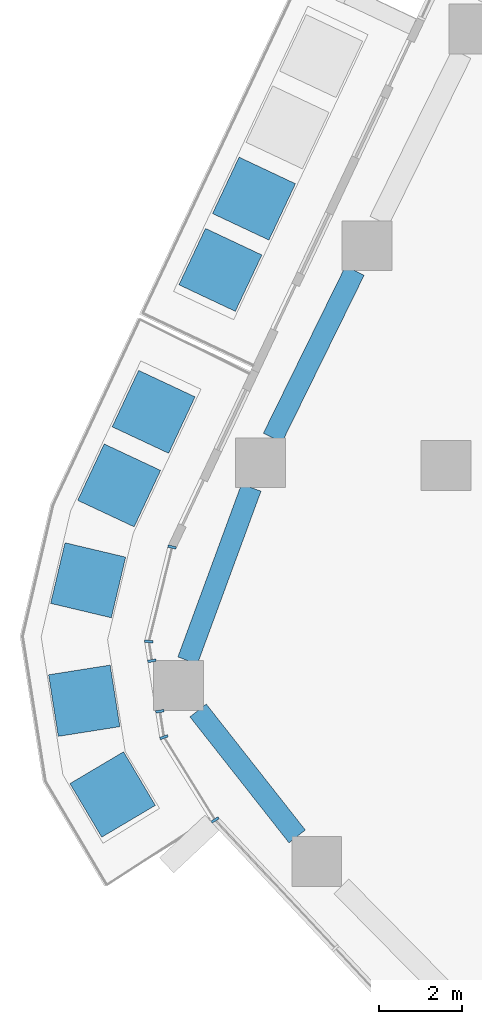
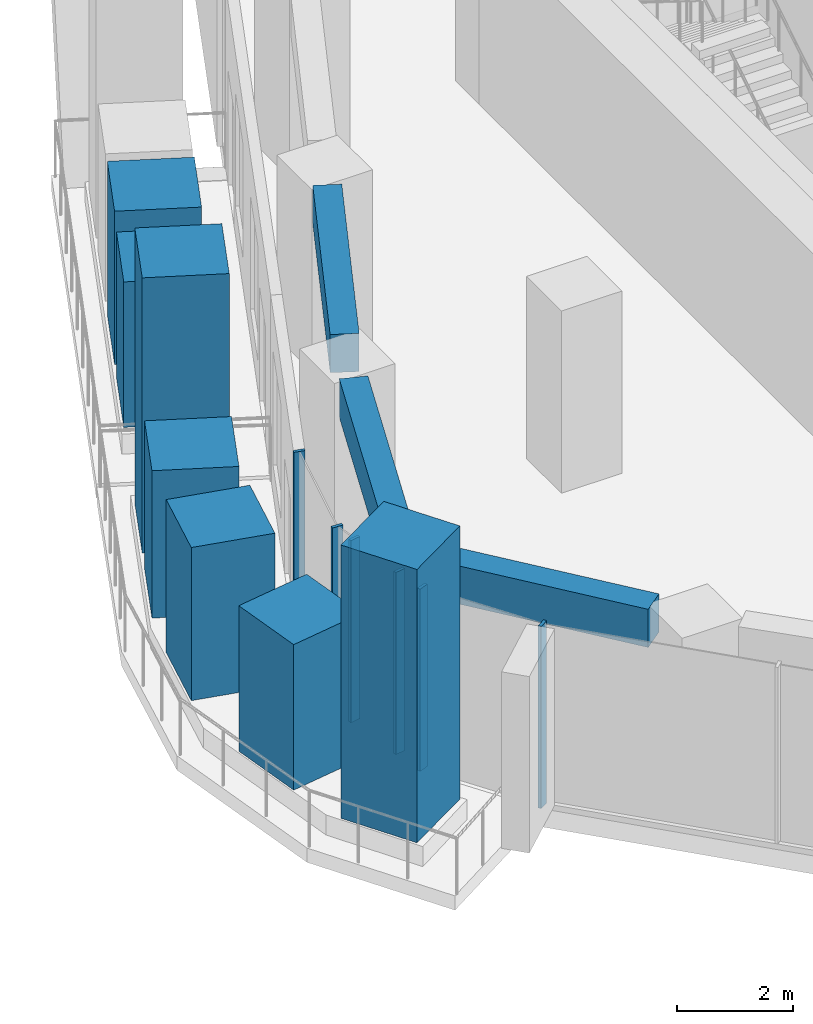
# One storey, part 3 of 18: 13 members, 3 beams, 2 elements without a shape of their own.
"""IFC4 building model written with IfcOpenShell, lengths in metres."""

from ifc_helpers import new_model, si_unit, direction, frame, origin, origin_2d, place, context, subcontext, project, spatial, rectangle, extrude, material, layer, layer_set, material_profile, profile_set, type_object, element, aggregate, save


model = new_model("IFC4")

# Units and contexts
model_context = context("Model", 3, precision=1e-05, world=origin(), true_north=direction((0.0, 1.0)))
body_context = subcontext(model_context, "Body", "Model", "MODEL_VIEW")
ifc_project = project(units=[si_unit("LENGTHUNIT", "METRE"), si_unit("AREAUNIT", "SQUARE_METRE"), si_unit("VOLUMEUNIT", "CUBIC_METRE"), si_unit("PLANEANGLEUNIT", "RADIAN"), si_unit("MASSUNIT", "GRAM", prefix="KILO")], contexts=[model_context])

# Site, building, storey
site_placement = place(None, origin())
site = spatial("IfcSite", under=ifc_project, at=site_placement, CompositionType="ELEMENT")
building_placement = place(site_placement, origin())
building = spatial("IfcBuilding", under=site, at=building_placement, Name="Dongbaek Canopy Tower", CompositionType="ELEMENT")
storey_placement = place(building_placement, frame((0.0, 0.0, 167.0)))
storey = spatial("IfcBuildingStorey", under=building, at=storey_placement, Name="L36", CompositionType="ELEMENT", Elevation=167.0)

# Curtain wall, members
ifc_material_1 = material(Name="Aluminium 6063-T6 pale anodised", Category="aluminium")
ifc_layer = layer(ifc_material_1, 0.199951171875)
ifc_layer_set = layer_set([ifc_layer], Name="CW-1 unitised tower curtain wall")
curtain_wall_type = type_object("IfcCurtainWallType", Name="CW-1 unitised tower curtain wall", PredefinedType="NOTDEFINED", material=ifc_layer_set)
curtain_wall_1_placement = place(storey_placement, origin())
curtain_wall_1 = element("IfcCurtainWall", 1, at=curtain_wall_1_placement, inside=storey, type_object=curtain_wall_type, Name="CW-1 curtain wall K3.1a", PredefinedType="NOTDEFINED")
ifc_material_2 = material(Name="Aluminium 6063-T6 pale anodised", Category="aluminium")
ifc_material_profile_1 = material_profile(ifc_material_2, rectangle(XDim=0.199951171875, YDim=0.06005859375, at=origin_2d()), Name="CW-1 mullion 60 x 200")
ifc_profile_set_1 = profile_set([ifc_material_profile_1], Name="Aluminium 6063-T6 pale anodised")
member_type_1 = type_object("IfcMemberType", Name="CW-1 mullion 60 x 200", PredefinedType="MULLION", material=ifc_profile_set_1)
member_1_placement = place(storey_placement, frame((-24.588134765625, -1.962646484375, 0.0), z_axis=(0.0, 0.0, 1.0), x_axis=(-0.971000654774, 0.23907682537, 0.0)))
member_1 = element("IfcMember", 2, at=member_1_placement, type_object=member_type_1, Name="CW-1 mullion K3.1a.1", PredefinedType="MULLION", context=body_context, shape_type="SweptSolid", body=[
    extrude(rectangle(XDim=0.199951171875, YDim=0.06005859375, at=origin_2d()), origin(), (0.0, 0.0, 1.0), 3.820068359375),
])
member_2_placement = place(storey_placement, frame((-25.147705078125, -4.235595703125, 0.0), z_axis=(0.0, 0.0, 1.0), x_axis=(-0.999095549109, 0.04252156807, 0.0)))
member_2 = element("IfcMember", 3, at=member_2_placement, type_object=member_type_1, Name="CW-1 mullion K3.1a.2", PredefinedType="MULLION", context=body_context, shape_type="SweptSolid", body=[
    extrude(rectangle(XDim=0.199951171875, YDim=0.06005859375, at=origin_2d()), origin(), (0.0, 0.0, 1.0), 3.820068359375),
])
member_3_placement = place(storey_placement, frame((-25.074462890625, -4.7001953125, 0.0), z_axis=(0.0, 0.0, 1.0), x_axis=(-0.987802807616, -0.155710029436, 0.0)))
member_3 = element("IfcMember", 4, at=member_3_placement, type_object=member_type_1, Name="CW-1 mullion K3.1a.3", PredefinedType="MULLION", context=body_context, shape_type="SweptSolid", body=[
    extrude(rectangle(XDim=0.199951171875, YDim=0.06005859375, at=origin_2d()), origin(), (0.0, 0.0, 1.0), 3.820068359375),
])
aggregate(curtain_wall_1, [member_1, member_2, member_3])

curtain_wall_2_placement = place(storey_placement, origin())
curtain_wall_2 = element("IfcCurtainWall", 5, at=curtain_wall_2_placement, inside=storey, type_object=curtain_wall_type, Name="CW-1 curtain wall K3.1b", PredefinedType="NOTDEFINED")
member_4_placement = place(storey_placement, frame((-24.883056640625, -5.914306640625, 0.0), z_axis=(0.0, 0.0, 1.0), x_axis=(-0.987802807616, -0.155710029436, 0.0)))
member_4 = element("IfcMember", 6, at=member_4_placement, type_object=member_type_1, Name="CW-1 mullion K3.1b.1", PredefinedType="MULLION", context=body_context, shape_type="SweptSolid", body=[
    extrude(rectangle(XDim=0.199951171875, YDim=0.06005859375, at=origin_2d()), origin(), (0.0, 0.0, 1.0), 3.820068359375),
])
member_5_placement = place(storey_placement, frame((-24.784912109375, -6.53759765625, 0.0), z_axis=(0.0, 0.0, 1.0), x_axis=(-0.937567627343, -0.347803024943, 0.0)))
member_5 = element("IfcMember", 7, at=member_5_placement, type_object=member_type_1, Name="CW-1 mullion K3.1b.2", PredefinedType="MULLION", context=body_context, shape_type="SweptSolid", body=[
    extrude(rectangle(XDim=0.199951171875, YDim=0.06005859375, at=origin_2d()), origin(), (0.0, 0.0, 1.0), 3.820068359375),
])
member_6_placement = place(storey_placement, frame((-23.55322265625, -8.528076171875, 0.0), z_axis=(0.0, 0.0, 1.0), x_axis=(-0.850370444483, -0.526184480148, 0.0)))
member_6 = element("IfcMember", 8, at=member_6_placement, type_object=member_type_1, Name="CW-1 mullion K3.1b.3", PredefinedType="MULLION", context=body_context, shape_type="SweptSolid", body=[
    extrude(rectangle(XDim=0.199951171875, YDim=0.06005859375, at=origin_2d()), origin(), (0.0, 0.0, 1.0), 3.820068359375),
])
aggregate(curtain_wall_2, [member_4, member_5, member_6])

# Beams
ifc_material_3 = material(Name="Concrete C70", Category="concrete")
ifc_material_profile_2 = material_profile(ifc_material_3, rectangle(XDim=0.5, YDim=0.800048828125, at=origin_2d()), Name="RC EDGE BEAM 500x800 C70")
ifc_profile_set_2 = profile_set([ifc_material_profile_2], Name="Concrete C70")
beam_type = type_object("IfcBeamType", Name="RC EDGE BEAM 500x800 C70", PredefinedType="BEAM", material=ifc_profile_set_2)
beam_1_placement = place(storey_placement, frame((-21.578125, -8.925048828125, 3.419921875), z_axis=(-0.618344214718, 0.785907394115, 0.0), x_axis=(-0.785907394115, -0.618344214718, 0.0)))
element("IfcBeam", 9, at=beam_1_placement, inside=storey, type_object=beam_type, Name="EDGEBEAM:L36:07", PredefinedType="BEAM", context=body_context, shape_type="SweptSolid", body=[
    extrude(rectangle(XDim=0.5, YDim=0.800048828125, at=origin_2d()), origin(), (0.0, 0.0, 1.0), 3.856689453125),
])
beam_2_placement = place(storey_placement, frame((-24.214111328125, -4.694091796875, 3.419921875), z_axis=(0.34534810305, 0.938474660137, 0.0), x_axis=(-0.938474660137, 0.34534810305, 0.0)))
element("IfcBeam", 10, at=beam_2_placement, inside=storey, type_object=beam_type, Name="EDGEBEAM:L36:08", PredefinedType="BEAM", context=body_context, shape_type="SweptSolid", body=[
    extrude(rectangle(XDim=0.5, YDim=0.800048828125, at=origin_2d()), origin(), (0.0, 0.0, 1.0), 4.433837890625),
])
beam_3_placement = place(storey_placement, frame((-22.1669921875, 0.6669921875, 3.419921875), z_axis=(0.441142658474, 0.897436992147, 0.0), x_axis=(-0.897436992147, 0.441142658474, 0.0)))
element("IfcBeam", 11, at=beam_3_placement, inside=storey, type_object=beam_type, Name="EDGEBEAM:L36:09", PredefinedType="BEAM", context=body_context, shape_type="SweptSolid", body=[
    extrude(rectangle(XDim=0.5, YDim=0.800048828125, at=origin_2d()), origin(), (0.0, 0.0, 1.0), 4.4794921875),
])

# Members
ifc_material_4 = material(Name="Concrete C40/50 planter mass with planting", Category="concrete")
ifc_material_profile_3 = material_profile(ifc_material_4, rectangle(XDim=1.5, YDim=1.5, at=origin_2d()), Name="Terrace PLANTER shrub mass 1500 x 1500")
ifc_profile_set_3 = profile_set([ifc_material_profile_3], Name="Concrete C40/50 planter mass with planting")
member_type_2 = type_object("IfcMemberType", Name="Terrace PLANTER shrub mass 1500 x 1500", PredefinedType="USERDEFINED", material=ifc_profile_set_3)
member_7_placement = place(storey_placement, frame((-22.617431640625, 6.419921875, 0.419921875), z_axis=(0.0, 0.0, 1.0), x_axis=(-0.904625717834, 0.426206887126, 0.0)))
element("IfcMember", 12, at=member_7_placement, inside=storey, type_object=member_type_2, Name="Planter shrubs L36 1.3", ObjectType="PLANTER", PredefinedType="USERDEFINED", context=body_context, shape_type="SweptSolid", body=[
    extrude(rectangle(XDim=1.5, YDim=1.5, at=origin_2d()), origin(), (0.0, 0.0, 1.0), 3.2099609375),
])
member_8_placement = place(storey_placement, frame((-23.425048828125, 4.70556640625, 0.419921875), z_axis=(0.0, 0.0, 1.0), x_axis=(-0.904625717834, 0.426206887126, 0.0)))
element("IfcMember", 13, at=member_8_placement, inside=storey, type_object=member_type_2, Name="Planter shrubs L36 1.4", ObjectType="PLANTER", PredefinedType="USERDEFINED", context=body_context, shape_type="SweptSolid", body=[
    extrude(rectangle(XDim=1.5, YDim=1.5, at=origin_2d()), origin(), (0.0, 0.0, 1.0), 3.050048828125),
])
member_9_placement = place(storey_placement, frame((-25.031982421875, 1.2900390625, 0.419921875), z_axis=(0.0, 0.0, 1.0), x_axis=(-0.905534152634, 0.42427337698, 0.0)))
element("IfcMember", 14, at=member_9_placement, inside=storey, type_object=member_type_2, Name="Planter tree L36 3.1", ObjectType="PLANTER", PredefinedType="USERDEFINED", context=body_context, shape_type="SweptSolid", body=[
    extrude(rectangle(XDim=1.5, YDim=1.5, at=origin_2d()), origin(), (0.0, 0.0, 1.0), 5.77001953125),
])
member_10_placement = place(storey_placement, frame((-25.861083984375, -0.4794921875, 0.419921875), z_axis=(0.0, 0.0, 1.0), x_axis=(-0.905534152634, 0.42427337698, 0.0)))
element("IfcMember", 15, at=member_10_placement, inside=storey, type_object=member_type_2, Name="Planter shrubs L36 3.2", ObjectType="PLANTER", PredefinedType="USERDEFINED", context=body_context, shape_type="SweptSolid", body=[
    extrude(rectangle(XDim=1.5, YDim=1.5, at=origin_2d()), origin(), (0.0, 0.0, 1.0), 3.090087890625),
])
member_11_placement = place(storey_placement, frame((-26.60693359375, -2.76171875, 0.419921875), z_axis=(0.0, 0.0, 1.0), x_axis=(-0.973041614967, 0.230629606823, 0.0)))
element("IfcMember", 16, at=member_11_placement, inside=storey, type_object=member_type_2, Name="Planter shrubs L36 3.3", ObjectType="PLANTER", PredefinedType="USERDEFINED", context=body_context, shape_type="SweptSolid", body=[
    extrude(rectangle(XDim=1.5, YDim=1.5, at=origin_2d()), origin(), (0.0, 0.0, 1.0), 3.2099609375),
])
member_12_placement = place(storey_placement, frame((-26.70166015625, -5.66015625, 0.419921875), z_axis=(0.0, 0.0, 1.0), x_axis=(-0.987802807616, -0.155710029436, 0.0)))
element("IfcMember", 17, at=member_12_placement, inside=storey, type_object=member_type_2, Name="Planter shrubs L36 3.4", ObjectType="PLANTER", PredefinedType="USERDEFINED", context=body_context, shape_type="SweptSolid", body=[
    extrude(rectangle(XDim=1.5, YDim=1.5, at=origin_2d()), origin(), (0.0, 0.0, 1.0), 3.050048828125),
])
member_13_placement = place(storey_placement, frame((-26.017578125, -7.915771484375, 0.419921875), z_axis=(0.0, 0.0, 1.0), x_axis=(-0.860204618571, -0.509949030972, 0.0)))
element("IfcMember", 18, at=member_13_placement, inside=storey, type_object=member_type_2, Name="Planter tree L36 3.5", ObjectType="PLANTER", PredefinedType="USERDEFINED", context=body_context, shape_type="SweptSolid", body=[
    extrude(rectangle(XDim=1.5, YDim=1.5, at=origin_2d()), origin(), (0.0, 0.0, 1.0), 5.72998046875),
])

save(model, "model.ifc")
